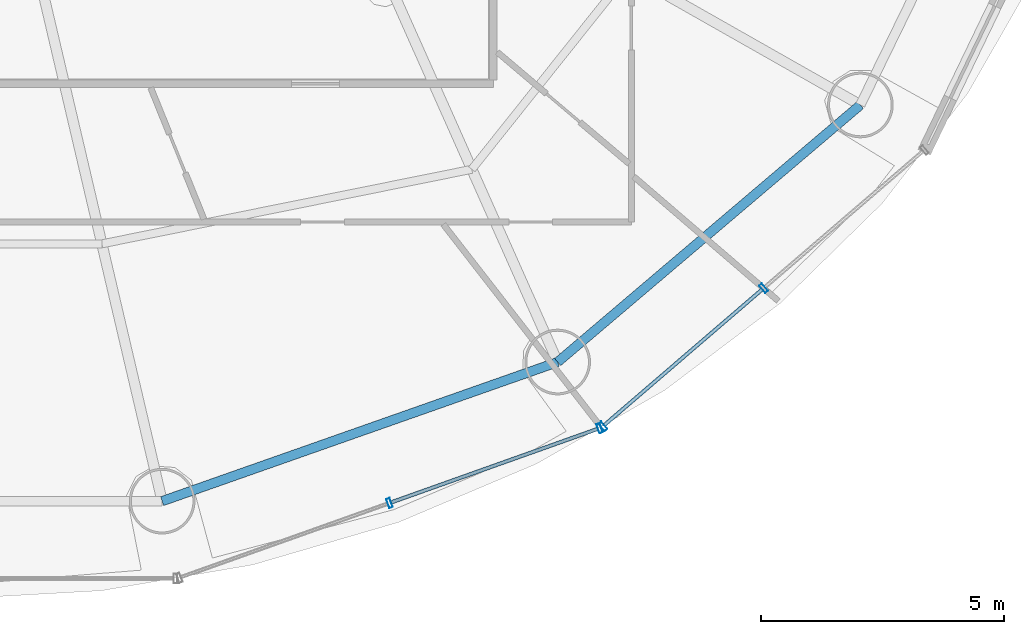
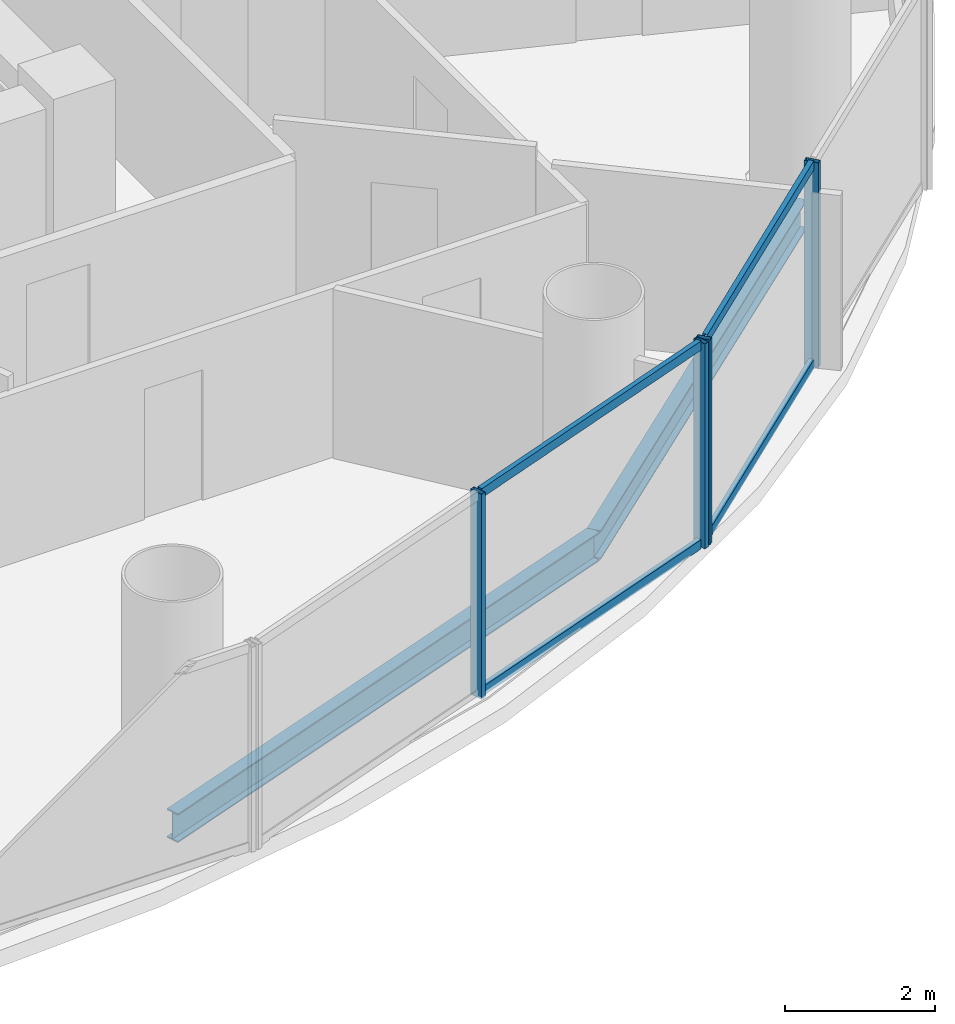
# One storey, part 9 of 27: 8 members, 2 beams, 2 elements without a shape of their own.
"""IFC4 building model written with IfcOpenShell, lengths in metres."""

import ifcopenshell
import ifcopenshell.guid

model = None  # the IFC model being written
_history = None  # IfcOwnerHistory: only IFC2X3 demands one
_inside = {}  # id of a spatial element -> (the spatial element, [elements in it])
_under = {}  # id of a project, library or spatial element -> (it, [spatial elements below it])
_declared = {}  # id of a project -> (the project, [libraries it declares])
_typed = {}  # id of a type object -> (the type object, [elements of that type])
_made_of = {}  # id of a material, layer set ... -> (it, [elements and type objects made of it])


def new_model(schema):
    """Start an empty IFC model of exactly this schema.

    Asked for "IFC4X3", IfcOpenShell would pick the latest addendum, in which some entities
    have other attributes; the version numbers below select the first issue.
    IFC2X3 requires an IfcOwnerHistory on every rooted entity: one is made here for all.
    """
    global model, _history
    if schema == "IFC4X3":
        model = ifcopenshell.file(schema_version=(4, 3, 0, 0))
    else:
        model = ifcopenshell.file(schema=schema)
    _inside.clear()
    _under.clear()
    _declared.clear()
    _typed.clear()
    _made_of.clear()
    _history = None
    if model.schema == "IFC2X3":
        org = make("IfcOrganization", Name="unknown")
        user = make(
            "IfcPersonAndOrganization",
            ThePerson=make("IfcPerson", FamilyName="unknown"),
            TheOrganization=org,
        )
        app = make(
            "IfcApplication",
            ApplicationDeveloper=org,
            Version="unknown",
            ApplicationFullName="unknown",
            ApplicationIdentifier="unknown",
        )
        _history = make(
            "IfcOwnerHistory",
            OwningUser=user,
            OwningApplication=app,
            ChangeAction="ADDED",
            CreationDate=0,
        )
    return model


def make(cls, **values):
    """One entity of the class cls with the attributes given. An attribute that is None is left unset."""
    return model.create_entity(
        cls, **{name: value for name, value in values.items() if value is not None}
    )


def rooted(cls, **values):
    """An entity with a GlobalId (a new one), such as an element, a storey or a relation."""
    return make(cls, GlobalId=ifcopenshell.guid.new(), OwnerHistory=_history, **values)


def si_unit(unit_type, name, prefix=None):
    """IfcSIUnit, for example si_unit("LENGTHUNIT", "METRE", prefix="MILLI")."""
    return make("IfcSIUnit", UnitType=unit_type, Prefix=prefix, Name=name)


def assignment(units):
    """IfcUnitAssignment: the units of a project."""
    return None if units is None else make("IfcUnitAssignment", Units=units)


def point(xyz):
    """IfcCartesianPoint."""
    return None if xyz is None else make("IfcCartesianPoint", Coordinates=xyz)


def direction(xyz):
    """IfcDirection."""
    return None if xyz is None else make("IfcDirection", DirectionRatios=xyz)


def frame(location, z_axis=None, x_axis=None):
    """IfcAxis2Placement3D, a coordinate frame: its origin and axes. An axis left out is left unset."""
    return make(
        "IfcAxis2Placement3D",
        Location=point(location),
        Axis=direction(z_axis),
        RefDirection=direction(x_axis),
    )


def frame_2d(location, x_axis=None):
    """IfcAxis2Placement2D, a coordinate frame in the plane: its origin and x axis."""
    return make(
        "IfcAxis2Placement2D", Location=point(location), RefDirection=direction(x_axis)
    )


def origin():
    """The frame at (0, 0, 0) with its axes left unset."""
    return frame((0.0, 0.0, 0.0))


def origin_2d():
    """The frame at (0, 0) in the plane with its x axis left unset."""
    return frame_2d((0.0, 0.0))


def place(relative_to, where):
    """IfcLocalPlacement: puts the frame where relative to a parent placement (None: the world)."""
    return make(
        "IfcLocalPlacement", PlacementRelTo=relative_to, RelativePlacement=where
    )


def context(
    kind, dimensions, precision=None, world=None, true_north=None, identifier=None
):
    """IfcGeometricRepresentationContext, for example the 3D "Model" context."""
    return make(
        "IfcGeometricRepresentationContext",
        ContextIdentifier=identifier,
        ContextType=kind,
        CoordinateSpaceDimension=dimensions,
        Precision=precision,
        WorldCoordinateSystem=world,
        TrueNorth=true_north,
    )


def subcontext(parent, identifier, kind, view, scale=None):
    """IfcGeometricRepresentationSubContext, for example "Body" below "Model"."""
    return make(
        "IfcGeometricRepresentationSubContext",
        ContextIdentifier=identifier,
        ContextType=kind,
        ParentContext=parent,
        TargetScale=scale,
        TargetView=view,
    )


def project(units=None, contexts=None):
    """IfcProject with its units and contexts."""
    return rooted(
        "IfcProject",
        Name="project",
        RepresentationContexts=contexts,
        UnitsInContext=assignment(units),
    )


def spatial(cls, under=None, at=None, **own):
    """A site, building, storey or space (cls), placed at a placement, below another one or the project."""
    s = rooted(cls, ObjectPlacement=at, **own)
    if under is not None:
        _under.setdefault(under.id(), (under, []))[1].append(s)
    return s


def profile(cls, at=None, kind="AREA", **sizes):
    """A parametric profile (cls). Its sizes go by their IFC names, for example OverallWidth=200.0."""
    return make(cls, ProfileType=kind, Position=at, **sizes)


def hollow_rectangle(**sizes):
    """IfcRectangleHollowProfileDef."""
    return profile("IfcRectangleHollowProfileDef", **sizes)


def i_section(**sizes):
    """IfcIShapeProfileDef."""
    return profile("IfcIShapeProfileDef", **sizes)


def extrude(swept, where, along, depth):
    """IfcExtrudedAreaSolid: the profile swept, set in the frame where, extruded along a direction by depth."""
    return make(
        "IfcExtrudedAreaSolid",
        SweptArea=swept,
        Position=where,
        ExtrudedDirection=direction(along),
        Depth=depth,
    )


def shape(context_of_items, identifier, shape_type, items):
    """IfcShapeRepresentation: the items that make up one representation, for example the "Body"."""
    return make(
        "IfcShapeRepresentation",
        ContextOfItems=context_of_items,
        RepresentationIdentifier=identifier,
        RepresentationType=shape_type,
        Items=items,
    )


def source(mapping_origin, context_of_items, identifier, shape_type, items):
    """IfcRepresentationMap: a shape defined once, which mapped items show again and again."""
    return make(
        "IfcRepresentationMap",
        MappingOrigin=mapping_origin,
        MappedRepresentation=shape(context_of_items, identifier, shape_type, items),
    )


def transform(
    local_origin,
    x_axis=None,
    y_axis=None,
    z_axis=None,
    scale=None,
    scale2=None,
    scale3=None,
    uniform=True,
):
    """IfcCartesianTransformationOperator3D, or its non-uniform kind. x_axis, y_axis, z_axis: its Axis1, 2, 3."""
    if uniform:
        return make(
            "IfcCartesianTransformationOperator3D",
            Axis1=direction(x_axis),
            Axis2=direction(y_axis),
            LocalOrigin=point(local_origin),
            Scale=scale,
            Axis3=direction(z_axis),
        )
    return make(
        "IfcCartesianTransformationOperator3DnonUniform",
        Axis1=direction(x_axis),
        Axis2=direction(y_axis),
        LocalOrigin=point(local_origin),
        Scale=scale,
        Axis3=direction(z_axis),
        Scale2=scale2,
        Scale3=scale3,
    )


def mapped(mapping_source, mapping_target):
    """IfcMappedItem: shows the shape of a source again, moved by a transform."""
    return make(
        "IfcMappedItem", MappingSource=mapping_source, MappingTarget=mapping_target
    )


def material(Name=None, Category=None):
    """IfcMaterial."""
    return make("IfcMaterial", Name=Name, Category=Category)


def material_profile(
    of_material, cross_section, Name=None, Category=None, Priority=None
):
    """IfcMaterialProfile: a cross section and its material."""
    return make(
        "IfcMaterialProfile",
        Name=Name,
        Material=of_material,
        Profile=cross_section,
        Priority=Priority,
        Category=Category,
    )


def profile_set(profiles, Name=None, composite=None):
    """IfcMaterialProfileSet."""
    return make(
        "IfcMaterialProfileSet",
        Name=Name,
        MaterialProfiles=profiles,
        CompositeProfile=composite,
    )


def made_of(thing, what):
    """Note that an element or type object is made of a material, layer set ...; save() writes the relation."""
    if what is not None:
        _made_of.setdefault(what.id(), (what, []))[1].append(thing)
    return thing


def type_object(cls, material=None, **own):
    """A type object (cls), such as IfcWallType, which elements share."""
    return made_of(rooted(cls, **own), material)


def element(
    cls,
    number,
    at=None,
    inside=None,
    cuts=None,
    type_object=None,
    material=None,
    context=None,
    identifier="Body",
    shape_type=None,
    held_by="IfcProductDefinitionShape",
    body=None,
    shapes=None,
    **own,
):
    """One element of the class cls, such as IfcWall. Its Tag is "e" and its number.

    at: its placement. inside: the storey or other place that contains it. cuts: it is an
    opening in that element (IfcRelVoidsElement). A single representation is given by context,
    identifier, shape_type and body (its items); several are given by shapes. held_by: the class
    of the entity that holds the representations. save() writes the other relations.
    """
    e = rooted(cls, Tag="e%d" % number, ObjectPlacement=at, **own)
    if body is not None:
        shapes = [shape(context, identifier, shape_type, body)]
    if shapes is not None:
        e.Representation = make(held_by, Representations=shapes)
    if inside is not None:
        _inside.setdefault(inside.id(), (inside, []))[1].append(e)
    if cuts is not None:
        rooted(
            "IfcRelVoidsElement", RelatingBuildingElement=cuts, RelatedOpeningElement=e
        )
    if type_object is not None:
        _typed.setdefault(type_object.id(), (type_object, []))[1].append(e)
    return made_of(e, material)


def aggregate(whole, parts):
    """IfcRelAggregates: a whole, such as a stair, and the parts it consists of."""
    return rooted("IfcRelAggregates", RelatingObject=whole, RelatedObjects=parts)


def save(model, path):
    """Write the relations noted so far, then the file.

    IfcRelAggregates (storeys below a building ...), IfcRelContainedInSpatialStructure (elements
    in a storey), IfcRelDefinesByType, IfcRelAssociatesMaterial and IfcRelDeclares: one each for
    every whole, place, type object, material and project.
    """
    for whole, parts in _under.values():
        aggregate(whole, parts)
    for where, things in _inside.values():
        rooted(
            "IfcRelContainedInSpatialStructure",
            RelatedElements=things,
            RelatingStructure=where,
        )
    for kind, things in _typed.values():
        rooted("IfcRelDefinesByType", RelatedObjects=things, RelatingType=kind)
    for what, things in _made_of.values():
        rooted("IfcRelAssociatesMaterial", RelatedObjects=things, RelatingMaterial=what)
    for by, libraries in _declared.values():
        rooted("IfcRelDeclares", RelatingContext=by, RelatedDefinitions=libraries)
    model.write(path)


model = new_model("IFC4")

# Units and contexts
model_context = context("Model", 3, precision=1e-05, world=origin(), true_north=direction((-0.2419218956, 0.970295726276)))
body_context = subcontext(model_context, "Body", "Model", "MODEL_VIEW")
ifc_project = project(units=[si_unit("LENGTHUNIT", "METRE"), si_unit("AREAUNIT", "SQUARE_METRE"), si_unit("VOLUMEUNIT", "CUBIC_METRE"), si_unit("PLANEANGLEUNIT", "RADIAN"), si_unit("MASSUNIT", "GRAM", prefix="KILO")], contexts=[model_context])

# Site, building, storey
site_placement = place(None, origin())
site = spatial("IfcSite", under=ifc_project, at=site_placement, CompositionType="ELEMENT")
building_placement = place(site_placement, origin())
building = spatial("IfcBuilding", under=site, at=building_placement, Name="Cobrevalo Terracotta Tower", CompositionType="ELEMENT")
storey_placement = place(building_placement, frame((0.0, 0.0, 164.199951171875)))
storey = spatial("IfcBuildingStorey", under=building, at=storey_placement, Name="L43", CompositionType="ELEMENT", Elevation=164.199951171875)

# Beams
ifc_material_1 = material(Name="Steel S355", Category="steel")
ifc_material_profile_1 = material_profile(ifc_material_1, i_section(OverallWidth=0.194091796875, OverallDepth=0.468994140625, WebThickness=0.011474609375, FlangeThickness=0.0205078125, at=origin_2d()), Name="W 460x106")
ifc_profile_set_1 = profile_set([ifc_material_profile_1], Name="Steel S355")
beam_type = type_object("IfcBeamType", Name="Structural Spandrel W 460x106 (Steel S355)", PredefinedType="SPANDREL", material=ifc_profile_set_1)
beam_1_placement = place(storey_placement, frame((42.399169921875, 8.01806640625, -0.50439453125), z_axis=(0.943341298492, 0.331824041565, 0.0), x_axis=(-0.331824041565, 0.943341298492, 0.0)))
element("IfcBeam", 1, at=beam_1_placement, inside=storey, type_object=beam_type, Name="L43 perimeter ring spandrel 13", PredefinedType="SPANDREL", context=body_context, shape_type="SweptSolid", body=[
    extrude(i_section(OverallWidth=0.194091796875, OverallDepth=0.468994140625, WebThickness=0.011474609375, FlangeThickness=0.0205078125, at=origin_2d()), origin(), (0.0, 0.0, 1.0), 8.6171875),
])
beam_2_placement = place(storey_placement, frame((50.528076171875, 10.87744140625, -0.50439453125), z_axis=(0.762240337798, 0.647294112003, 0.0), x_axis=(-0.647294112003, 0.762240337798, 0.0)))
element("IfcBeam", 2, at=beam_2_placement, inside=storey, type_object=beam_type, Name="L43 perimeter ring spandrel 14", PredefinedType="SPANDREL", context=body_context, shape_type="SweptSolid", body=[
    extrude(i_section(OverallWidth=0.194091796875, OverallDepth=0.468994140625, WebThickness=0.011474609375, FlangeThickness=0.0205078125, at=origin_2d()), origin(), (0.0, 0.0, 1.0), 8.162353515625),
])

# Curtain wall, members
ifc_material_2 = material(Name="Anodized aluminium", Category="aluminium")
curtain_wall_type = type_object("IfcCurtainWallType", Name="Mid-tower high-wind unitised curtain wall CW-U2", PredefinedType="NOTDEFINED", material=ifc_material_2)
curtain_wall_1_placement = place(storey_placement, origin())
curtain_wall_1 = element("IfcCurtainWall", 3, at=curtain_wall_1_placement, inside=storey, type_object=curtain_wall_type, Name="L43 curtain wall CW-L43-S13", PredefinedType="NOTDEFINED")
ifc_material_profile_2 = material_profile(ifc_material_2, hollow_rectangle(XDim=0.074951171875, YDim=0.199951171875, WallThickness=0.0048828125, at=origin_2d()), Name="CWM 75x200")
ifc_profile_set_2 = profile_set([ifc_material_profile_2], Name="Anodized aluminium")
member_type_1 = type_object("IfcMemberType", Name="Lower/mid tower unitised mullion 75x200", PredefinedType="MULLION", material=ifc_profile_set_2)
shared_shape_1 = source(origin(), body_context, "Body", "SweptSolid", [
    extrude(hollow_rectangle(XDim=0.074951171875, YDim=0.199951171875, WallThickness=0.0048828125, at=origin_2d()), origin(), (0.0, 0.0, 1.0), 3.330078125),
])
member_1_placement = place(storey_placement, frame((47.07177734375, 7.979736328125, 0.0), z_axis=(0.0, 0.0, 1.0), x_axis=(0.942098428897, 0.335336473217, 0.0)))
member_1 = element("IfcMember", 4, at=member_1_placement, type_object=member_type_1, Name="CW-L43-S13 vertical mullion 02", PredefinedType="MULLION", context=body_context, shape_type="MappedRepresentation", body=[
    mapped(shared_shape_1, transform((0.0, 0.0, 0.0), scale=1.0)),
])
member_2_placement = place(storey_placement, frame((51.390380859375, 9.516845703125, 0.0), z_axis=(0.0, 0.0, 1.0), x_axis=(0.942098428897, 0.335336473217, 0.0)))
member_2 = element("IfcMember", 5, at=member_2_placement, type_object=member_type_1, Name="CW-L43-S13 vertical mullion 03", PredefinedType="MULLION", context=body_context, shape_type="MappedRepresentation", body=[
    mapped(shared_shape_1, transform((0.0, 0.0, 0.0), scale=1.0)),
])

curtain_wall_2_placement = place(storey_placement, origin())
curtain_wall_2 = element("IfcCurtainWall", 6, at=curtain_wall_2_placement, inside=storey, type_object=curtain_wall_type, Name="L43 curtain wall CW-L43-S14", PredefinedType="NOTDEFINED")
member_3_placement = place(storey_placement, frame((51.45849609375, 9.556396484375, 0.0), z_axis=(0.0, 0.0, 1.0), x_axis=(0.758441546142, 0.65174106905, 0.0)))
member_3 = element("IfcMember", 7, at=member_3_placement, type_object=member_type_1, Name="CW-L43-S14 vertical mullion 01", PredefinedType="MULLION", context=body_context, shape_type="MappedRepresentation", body=[
    mapped(shared_shape_1, transform((0.0, 0.0, 0.0), scale=1.0)),
])
member_4_placement = place(storey_placement, frame((54.762451171875, 12.3955078125, 0.0), z_axis=(0.0, 0.0, 1.0), x_axis=(0.758441546142, 0.65174106905, 0.0)))
member_4 = element("IfcMember", 8, at=member_4_placement, type_object=member_type_1, Name="CW-L43-S14 vertical mullion 02", PredefinedType="MULLION", context=body_context, shape_type="MappedRepresentation", body=[
    mapped(shared_shape_1, transform((0.0, 0.0, 0.0), scale=1.0)),
])
ifc_material_profile_3 = material_profile(ifc_material_2, hollow_rectangle(XDim=0.074951171875, YDim=0.14990234375, WallThickness=0.00439453125, at=origin_2d()), Name="CWT 75x150")
ifc_profile_set_3 = profile_set([ifc_material_profile_3], Name="Anodized aluminium")
member_type_2 = type_object("IfcMemberType", Name="Tower unitised aluminium transom 75x150", PredefinedType="USERDEFINED", material=ifc_profile_set_3)
shared_shape_2 = source(origin(), body_context, "Body", "SweptSolid", [
    extrude(hollow_rectangle(XDim=0.074951171875, YDim=0.14990234375, WallThickness=0.00439453125, at=origin_2d()), origin(), (0.0, 0.0, 1.0), 4.276123046875),
])
member_5_placement = place(storey_placement, frame((51.48876953125, 9.58251953125, 0.050048828125), z_axis=(0.758417719247, 0.651768795764, 0.0), x_axis=(-0.651768795764, 0.758417719247, 0.0)))
member_5 = element("IfcMember", 9, at=member_5_placement, type_object=member_type_2, Name="CW-L43-S14 transom B01-T1", ObjectType="TRANSOM", PredefinedType="USERDEFINED", context=body_context, shape_type="MappedRepresentation", body=[
    mapped(shared_shape_2, transform((0.0, 0.0, 0.0), scale=1.0)),
])
member_6_placement = place(storey_placement, frame((51.48876953125, 9.58251953125, 3.280029296875), z_axis=(0.758417719247, 0.651768795764, 0.0), x_axis=(-0.651768795764, 0.758417719247, 0.0)))
member_6 = element("IfcMember", 10, at=member_6_placement, type_object=member_type_2, Name="CW-L43-S14 transom B01-T2", ObjectType="TRANSOM", PredefinedType="USERDEFINED", context=body_context, shape_type="MappedRepresentation", body=[
    mapped(shared_shape_2, transform((0.0, 0.0, 0.0), scale=1.0)),
])
aggregate(curtain_wall_2, [member_3, member_4, member_5, member_6])

# Member
shared_shape_3 = source(origin(), body_context, "Body", "SweptSolid", [
    extrude(hollow_rectangle(XDim=0.074951171875, YDim=0.14990234375, WallThickness=0.00439453125, at=origin_2d()), origin(), (0.0, 0.0, 1.0), 4.504150390625),
])
member_7_placement = place(storey_placement, frame((47.109375, 7.9931640625, 0.050048828125), z_axis=(0.942093344241, 0.335350757771, 0.0), x_axis=(-0.335350757771, 0.942093344241, 0.0)))
member_7 = element("IfcMember", 11, at=member_7_placement, type_object=member_type_2, Name="CW-L43-S13 transom B02-T1", ObjectType="TRANSOM", PredefinedType="USERDEFINED", context=body_context, shape_type="MappedRepresentation", body=[
    mapped(shared_shape_3, transform((0.0, 0.0, 0.0), scale=1.0)),
])

member_8_placement = place(storey_placement, frame((47.109375, 7.9931640625, 3.280029296875), z_axis=(0.942093344241, 0.335350757771, 0.0), x_axis=(-0.335350757771, 0.942093344241, 0.0)))
member_8 = element("IfcMember", 12, at=member_8_placement, type_object=member_type_2, Name="CW-L43-S13 transom B02-T2", ObjectType="TRANSOM", PredefinedType="USERDEFINED", context=body_context, shape_type="MappedRepresentation", body=[
    mapped(shared_shape_3, transform((0.0, 0.0, 0.0), scale=1.0)),
])

aggregate(curtain_wall_1, [member_1, member_2, member_7, member_8])

save(model, "model.ifc")
